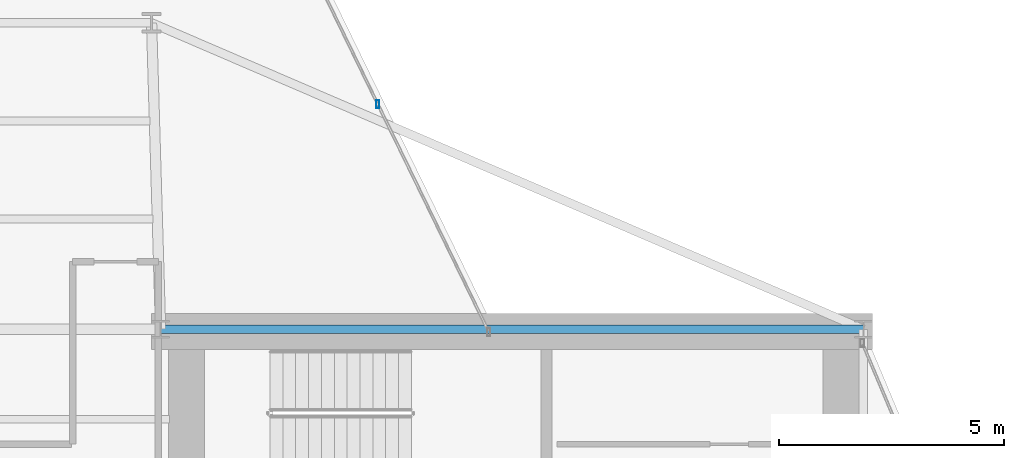
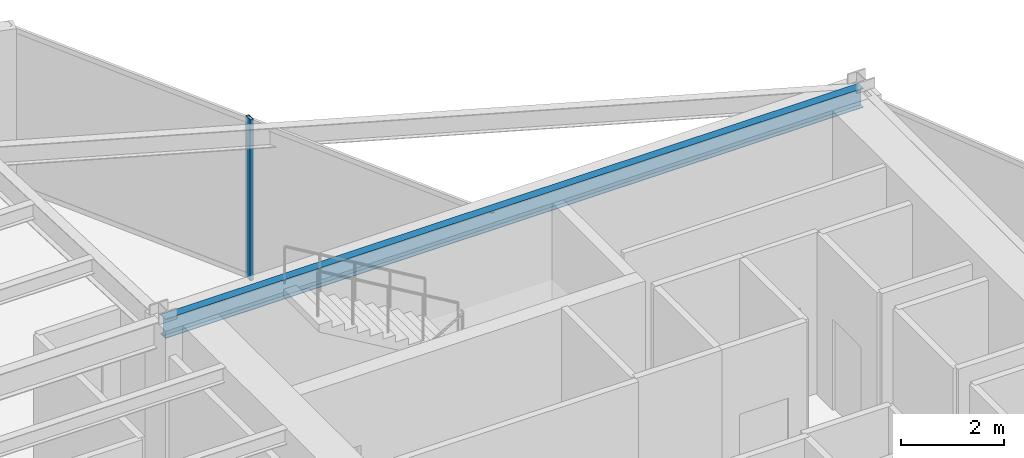
# One storey, part 15 of 25: 1 beam, 1 member, 1 element without a shape of its own.
"""IFC4 building model written with IfcOpenShell, lengths in metres."""

from ifc_helpers import new_model, si_unit, direction, frame, origin, origin_2d, place, context, subcontext, project, spatial, hollow_rectangle, i_section, extrude, material, layer, layer_set, material_profile, profile_set, type_object, element, aggregate, save


model = new_model("IFC4")

# Units and contexts
model_context = context("Model", 3, precision=1e-05, world=origin(), true_north=direction((0.0, 1.0)))
body_context = subcontext(model_context, "Body", "Model", "MODEL_VIEW")
ifc_project = project(units=[si_unit("LENGTHUNIT", "METRE"), si_unit("AREAUNIT", "SQUARE_METRE"), si_unit("VOLUMEUNIT", "CUBIC_METRE"), si_unit("PLANEANGLEUNIT", "RADIAN"), si_unit("MASSUNIT", "GRAM", prefix="KILO")], contexts=[model_context])

# Site, building, storey
site_placement = place(None, origin())
site = spatial("IfcSite", under=ifc_project, at=site_placement, CompositionType="ELEMENT")
building_placement = place(site_placement, origin())
building = spatial("IfcBuilding", under=site, at=building_placement, Name="Veymaron Broadcast Tower", CompositionType="ELEMENT")
storey_placement = place(building_placement, frame((0.0, 0.0, 120.89990234375)))
storey = spatial("IfcBuildingStorey", under=building, at=storey_placement, Name="L27", CompositionType="ELEMENT", Elevation=120.89990234375)

# Beam
ifc_material_1 = material(Name="Structural steel ASTM A992 Gr 50", Category="steel")
ifc_material_profile_1 = material_profile(ifc_material_1, i_section(OverallWidth=0.19091796875, OverallDepth=0.4599609375, WebThickness=0.010009765625, FlangeThickness=0.01611328125, at=origin_2d()), Name="W460X82")
ifc_profile_set_1 = profile_set([ifc_material_profile_1], Name="Structural steel ASTM A992 Gr 50")
beam_type = type_object("IfcBeamType", Name="BM-SP1", PredefinedType="SPANDREL", material=ifc_profile_set_1)
beam_placement = place(storey_placement, frame((39.0, 32.0, 3.580078125), z_axis=(1.0, 0.0, 0.0), x_axis=(0.0, 1.0, 0.0)))
element("IfcBeam", 1, at=beam_placement, inside=storey, type_object=beam_type, Name="L27 primary structural floor girder", PredefinedType="SPANDREL", context=body_context, shape_type="SweptSolid", body=[
    extrude(i_section(OverallWidth=0.19091796875, OverallDepth=0.4599609375, WebThickness=0.010009765625, FlangeThickness=0.01611328125, at=origin_2d()), origin(), (0.0, 0.0, 1.0), 15.60009765625),
])

# Curtain wall, member
ifc_material_2 = material(Name="Anodised aluminium AA 6063-T6 and laminated low-E dark glass", Category="aluminium")
ifc_layer = layer(ifc_material_2, 0.179931640625)
ifc_layer_set = layer_set([ifc_layer], Name="Anodised aluminium AA 6063-T6 and laminated low-E dark glass")
curtain_wall_type = type_object("IfcCurtainWallType", Name="CW-SYS-03", PredefinedType="NOTDEFINED", material=ifc_layer_set)
curtain_wall_placement = place(storey_placement, origin())
curtain_wall = element("IfcCurtainWall", 2, at=curtain_wall_placement, inside=storey, type_object=curtain_wall_type, Name="L27 dark-glass curtain wall CW-L27-E5-1", PredefinedType="NOTDEFINED")
ifc_material_3 = material(Name="Anodised aluminium AA 6063-T6", Category="aluminium")
ifc_material_profile_2 = material_profile(ifc_material_3, hollow_rectangle(XDim=0.074951171875, YDim=0.179931640625, WallThickness=0.0048828125, at=origin_2d()), Name="AL180X75X5")
ifc_profile_set_2 = profile_set([ifc_material_profile_2], Name="Anodised aluminium AA 6063-T6")
member_type = type_object("IfcMemberType", Name="CW-MUL-02", PredefinedType="MULLION", material=ifc_profile_set_2)
member_placement = place(storey_placement, frame((43.8203125, 36.998779296875, 0.0), z_axis=(0.0, 0.0, 1.0), x_axis=(1.0, 0.0, 0.0)))
member = element("IfcMember", 3, at=member_placement, type_object=member_type, Name="CW-L27-E5-1 mullion 1", PredefinedType="MULLION", context=body_context, shape_type="SweptSolid", body=[
    extrude(hollow_rectangle(XDim=0.074951171875, YDim=0.179931640625, WallThickness=0.0048828125, at=origin_2d()), origin(), (0.0, 0.0, 1.0), 3.81005859375),
])
aggregate(curtain_wall, [member])

save(model, "model.ifc")
